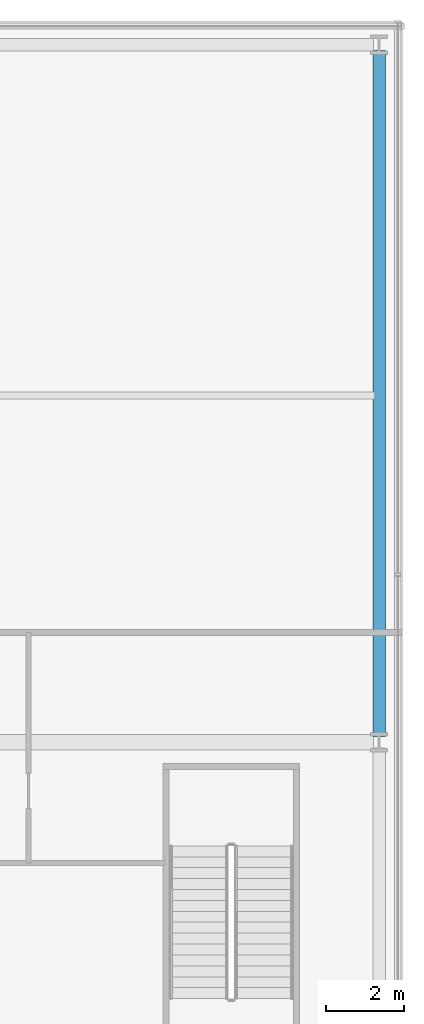
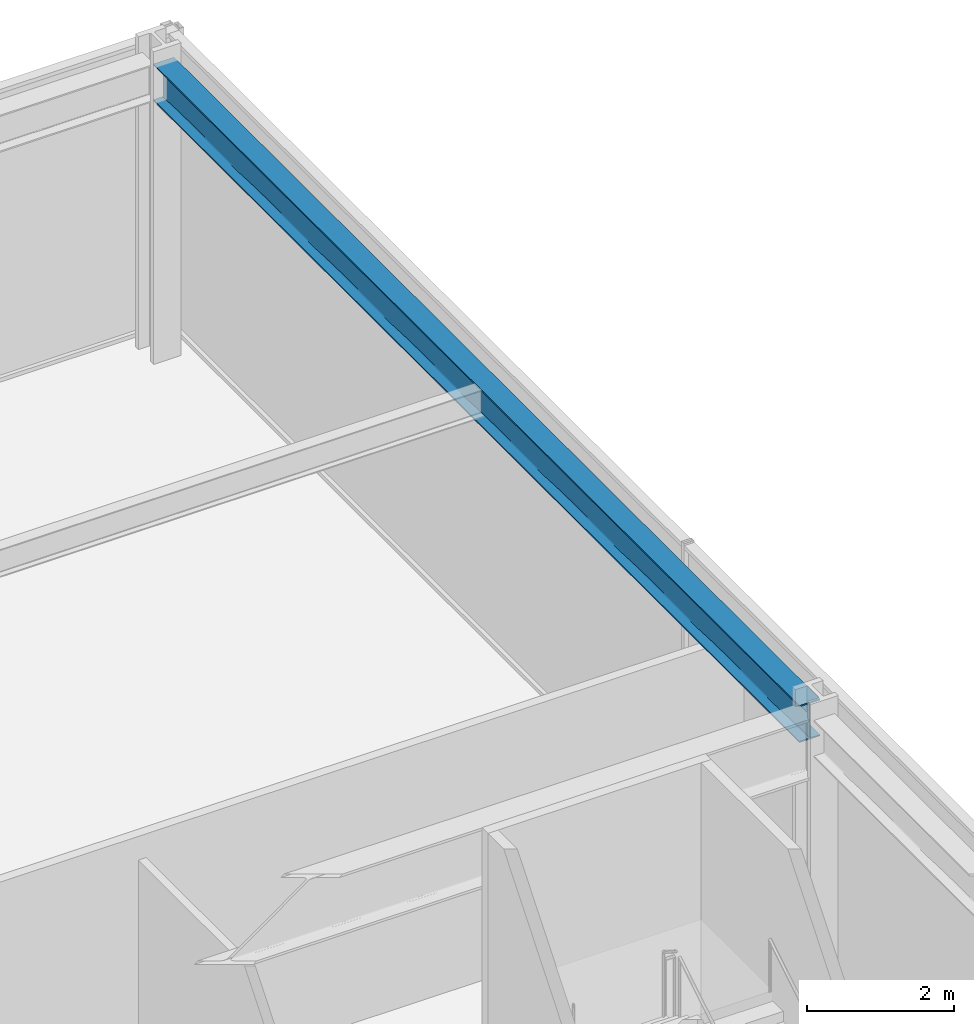
# One storey, part 36 of 49: 1 beam.
"""IFC4 building model written with IfcOpenShell, lengths in metres."""

import ifcopenshell
import ifcopenshell.guid

model = None  # the IFC model being written
_history = None  # IfcOwnerHistory: only IFC2X3 demands one
_inside = {}  # id of a spatial element -> (the spatial element, [elements in it])
_under = {}  # id of a project, library or spatial element -> (it, [spatial elements below it])
_declared = {}  # id of a project -> (the project, [libraries it declares])
_typed = {}  # id of a type object -> (the type object, [elements of that type])
_made_of = {}  # id of a material, layer set ... -> (it, [elements and type objects made of it])


def new_model(schema):
    """Start an empty IFC model of exactly this schema.

    Asked for "IFC4X3", IfcOpenShell would pick the latest addendum, in which some entities
    have other attributes; the version numbers below select the first issue.
    IFC2X3 requires an IfcOwnerHistory on every rooted entity: one is made here for all.
    """
    global model, _history
    if schema == "IFC4X3":
        model = ifcopenshell.file(schema_version=(4, 3, 0, 0))
    else:
        model = ifcopenshell.file(schema=schema)
    _inside.clear()
    _under.clear()
    _declared.clear()
    _typed.clear()
    _made_of.clear()
    _history = None
    if model.schema == "IFC2X3":
        org = make("IfcOrganization", Name="unknown")
        user = make(
            "IfcPersonAndOrganization",
            ThePerson=make("IfcPerson", FamilyName="unknown"),
            TheOrganization=org,
        )
        app = make(
            "IfcApplication",
            ApplicationDeveloper=org,
            Version="unknown",
            ApplicationFullName="unknown",
            ApplicationIdentifier="unknown",
        )
        _history = make(
            "IfcOwnerHistory",
            OwningUser=user,
            OwningApplication=app,
            ChangeAction="ADDED",
            CreationDate=0,
        )
    return model


def make(cls, **values):
    """One entity of the class cls with the attributes given. An attribute that is None is left unset."""
    return model.create_entity(
        cls, **{name: value for name, value in values.items() if value is not None}
    )


def rooted(cls, **values):
    """An entity with a GlobalId (a new one), such as an element, a storey or a relation."""
    return make(cls, GlobalId=ifcopenshell.guid.new(), OwnerHistory=_history, **values)


def si_unit(unit_type, name, prefix=None):
    """IfcSIUnit, for example si_unit("LENGTHUNIT", "METRE", prefix="MILLI")."""
    return make("IfcSIUnit", UnitType=unit_type, Prefix=prefix, Name=name)


def assignment(units):
    """IfcUnitAssignment: the units of a project."""
    return None if units is None else make("IfcUnitAssignment", Units=units)


def point(xyz):
    """IfcCartesianPoint."""
    return None if xyz is None else make("IfcCartesianPoint", Coordinates=xyz)


def direction(xyz):
    """IfcDirection."""
    return None if xyz is None else make("IfcDirection", DirectionRatios=xyz)


def frame(location, z_axis=None, x_axis=None):
    """IfcAxis2Placement3D, a coordinate frame: its origin and axes. An axis left out is left unset."""
    return make(
        "IfcAxis2Placement3D",
        Location=point(location),
        Axis=direction(z_axis),
        RefDirection=direction(x_axis),
    )


def frame_2d(location, x_axis=None):
    """IfcAxis2Placement2D, a coordinate frame in the plane: its origin and x axis."""
    return make(
        "IfcAxis2Placement2D", Location=point(location), RefDirection=direction(x_axis)
    )


def origin():
    """The frame at (0, 0, 0) with its axes left unset."""
    return frame((0.0, 0.0, 0.0))


def origin_2d():
    """The frame at (0, 0) in the plane with its x axis left unset."""
    return frame_2d((0.0, 0.0))


def place(relative_to, where):
    """IfcLocalPlacement: puts the frame where relative to a parent placement (None: the world)."""
    return make(
        "IfcLocalPlacement", PlacementRelTo=relative_to, RelativePlacement=where
    )


def context(
    kind, dimensions, precision=None, world=None, true_north=None, identifier=None
):
    """IfcGeometricRepresentationContext, for example the 3D "Model" context."""
    return make(
        "IfcGeometricRepresentationContext",
        ContextIdentifier=identifier,
        ContextType=kind,
        CoordinateSpaceDimension=dimensions,
        Precision=precision,
        WorldCoordinateSystem=world,
        TrueNorth=true_north,
    )


def subcontext(parent, identifier, kind, view, scale=None):
    """IfcGeometricRepresentationSubContext, for example "Body" below "Model"."""
    return make(
        "IfcGeometricRepresentationSubContext",
        ContextIdentifier=identifier,
        ContextType=kind,
        ParentContext=parent,
        TargetScale=scale,
        TargetView=view,
    )


def project(units=None, contexts=None):
    """IfcProject with its units and contexts."""
    return rooted(
        "IfcProject",
        Name="project",
        RepresentationContexts=contexts,
        UnitsInContext=assignment(units),
    )


def spatial(cls, under=None, at=None, **own):
    """A site, building, storey or space (cls), placed at a placement, below another one or the project."""
    s = rooted(cls, ObjectPlacement=at, **own)
    if under is not None:
        _under.setdefault(under.id(), (under, []))[1].append(s)
    return s


def profile(cls, at=None, kind="AREA", **sizes):
    """A parametric profile (cls). Its sizes go by their IFC names, for example OverallWidth=200.0."""
    return make(cls, ProfileType=kind, Position=at, **sizes)


def i_section(**sizes):
    """IfcIShapeProfileDef."""
    return profile("IfcIShapeProfileDef", **sizes)


def extrude(swept, where, along, depth):
    """IfcExtrudedAreaSolid: the profile swept, set in the frame where, extruded along a direction by depth."""
    return make(
        "IfcExtrudedAreaSolid",
        SweptArea=swept,
        Position=where,
        ExtrudedDirection=direction(along),
        Depth=depth,
    )


def shape(context_of_items, identifier, shape_type, items):
    """IfcShapeRepresentation: the items that make up one representation, for example the "Body"."""
    return make(
        "IfcShapeRepresentation",
        ContextOfItems=context_of_items,
        RepresentationIdentifier=identifier,
        RepresentationType=shape_type,
        Items=items,
    )


def material(Name=None, Category=None):
    """IfcMaterial."""
    return make("IfcMaterial", Name=Name, Category=Category)


def material_profile(
    of_material, cross_section, Name=None, Category=None, Priority=None
):
    """IfcMaterialProfile: a cross section and its material."""
    return make(
        "IfcMaterialProfile",
        Name=Name,
        Material=of_material,
        Profile=cross_section,
        Priority=Priority,
        Category=Category,
    )


def profile_set(profiles, Name=None, composite=None):
    """IfcMaterialProfileSet."""
    return make(
        "IfcMaterialProfileSet",
        Name=Name,
        MaterialProfiles=profiles,
        CompositeProfile=composite,
    )


def made_of(thing, what):
    """Note that an element or type object is made of a material, layer set ...; save() writes the relation."""
    if what is not None:
        _made_of.setdefault(what.id(), (what, []))[1].append(thing)
    return thing


def type_object(cls, material=None, **own):
    """A type object (cls), such as IfcWallType, which elements share."""
    return made_of(rooted(cls, **own), material)


def element(
    cls,
    number,
    at=None,
    inside=None,
    cuts=None,
    type_object=None,
    material=None,
    context=None,
    identifier="Body",
    shape_type=None,
    held_by="IfcProductDefinitionShape",
    body=None,
    shapes=None,
    **own,
):
    """One element of the class cls, such as IfcWall. Its Tag is "e" and its number.

    at: its placement. inside: the storey or other place that contains it. cuts: it is an
    opening in that element (IfcRelVoidsElement). A single representation is given by context,
    identifier, shape_type and body (its items); several are given by shapes. held_by: the class
    of the entity that holds the representations. save() writes the other relations.
    """
    e = rooted(cls, Tag="e%d" % number, ObjectPlacement=at, **own)
    if body is not None:
        shapes = [shape(context, identifier, shape_type, body)]
    if shapes is not None:
        e.Representation = make(held_by, Representations=shapes)
    if inside is not None:
        _inside.setdefault(inside.id(), (inside, []))[1].append(e)
    if cuts is not None:
        rooted(
            "IfcRelVoidsElement", RelatingBuildingElement=cuts, RelatedOpeningElement=e
        )
    if type_object is not None:
        _typed.setdefault(type_object.id(), (type_object, []))[1].append(e)
    return made_of(e, material)


def aggregate(whole, parts):
    """IfcRelAggregates: a whole, such as a stair, and the parts it consists of."""
    return rooted("IfcRelAggregates", RelatingObject=whole, RelatedObjects=parts)


def save(model, path):
    """Write the relations noted so far, then the file.

    IfcRelAggregates (storeys below a building ...), IfcRelContainedInSpatialStructure (elements
    in a storey), IfcRelDefinesByType, IfcRelAssociatesMaterial and IfcRelDeclares: one each for
    every whole, place, type object, material and project.
    """
    for whole, parts in _under.values():
        aggregate(whole, parts)
    for where, things in _inside.values():
        rooted(
            "IfcRelContainedInSpatialStructure",
            RelatedElements=things,
            RelatingStructure=where,
        )
    for kind, things in _typed.values():
        rooted("IfcRelDefinesByType", RelatedObjects=things, RelatingType=kind)
    for what, things in _made_of.values():
        rooted("IfcRelAssociatesMaterial", RelatedObjects=things, RelatingMaterial=what)
    for by, libraries in _declared.values():
        rooted("IfcRelDeclares", RelatingContext=by, RelatedDefinitions=libraries)
    model.write(path)


model = new_model("IFC4")

# Units and contexts
model_context = context("Model", 3, precision=1e-05, world=origin(), true_north=direction((0.0, 1.0)))
body_context = subcontext(model_context, "Body", "Model", "MODEL_VIEW")
ifc_project = project(units=[si_unit("LENGTHUNIT", "METRE"), si_unit("AREAUNIT", "SQUARE_METRE"), si_unit("VOLUMEUNIT", "CUBIC_METRE"), si_unit("PLANEANGLEUNIT", "RADIAN"), si_unit("MASSUNIT", "GRAM", prefix="KILO")], contexts=[model_context])

# Site, building, storey
site_placement = place(None, origin())
site = spatial("IfcSite", under=ifc_project, at=site_placement, CompositionType="ELEMENT")
building_placement = place(site_placement, origin())
building = spatial("IfcBuilding", under=site, at=building_placement, Name="Kolvaren Belvedere", CompositionType="ELEMENT")
storey_placement = place(building_placement, frame((0.0, 0.0, 10.0)))
storey = spatial("IfcBuildingStorey", under=building, at=storey_placement, Name="L03", CompositionType="ELEMENT", Elevation=10.0)

# Beam
ifc_material = material(Name="Structural steel ASTM A992 Grade 50", Category="steel")
ifc_material_profile = material_profile(ifc_material, i_section(OverallWidth=0.324951171875, OverallDepth=0.615966796875, WebThickness=0.013916015625, FlangeThickness=0.021484375, FilletRadius=0.02001953125, at=origin_2d()), Name="W24X117")
ifc_profile_set = profile_set([ifc_material_profile], Name="Structural steel ASTM A992 Grade 50")
beam_type = type_object("IfcBeamType", Name="BM-SPAN-W24X117", PredefinedType="SPANDREL", material=ifc_profile_set)
beam_placement = place(storey_placement, frame((27.39990234375, 10.050048828125, 4.612060546875), z_axis=(0.0, 1.0, 0.0), x_axis=(-1.0, 0.0, 0.0)))
element("IfcBeam", 1, at=beam_placement, inside=storey, type_object=beam_type, Name="L03 E Podium Spandrel 3", PredefinedType="SPANDREL", context=body_context, shape_type="SweptSolid", body=[
    extrude(i_section(OverallWidth=0.324951171875, OverallDepth=0.615966796875, WebThickness=0.013916015625, FlangeThickness=0.021484375, FilletRadius=0.02001953125, at=origin_2d()), origin(), (0.0, 0.0, 1.0), 17.599853515625),
])

save(model, "model.ifc")
